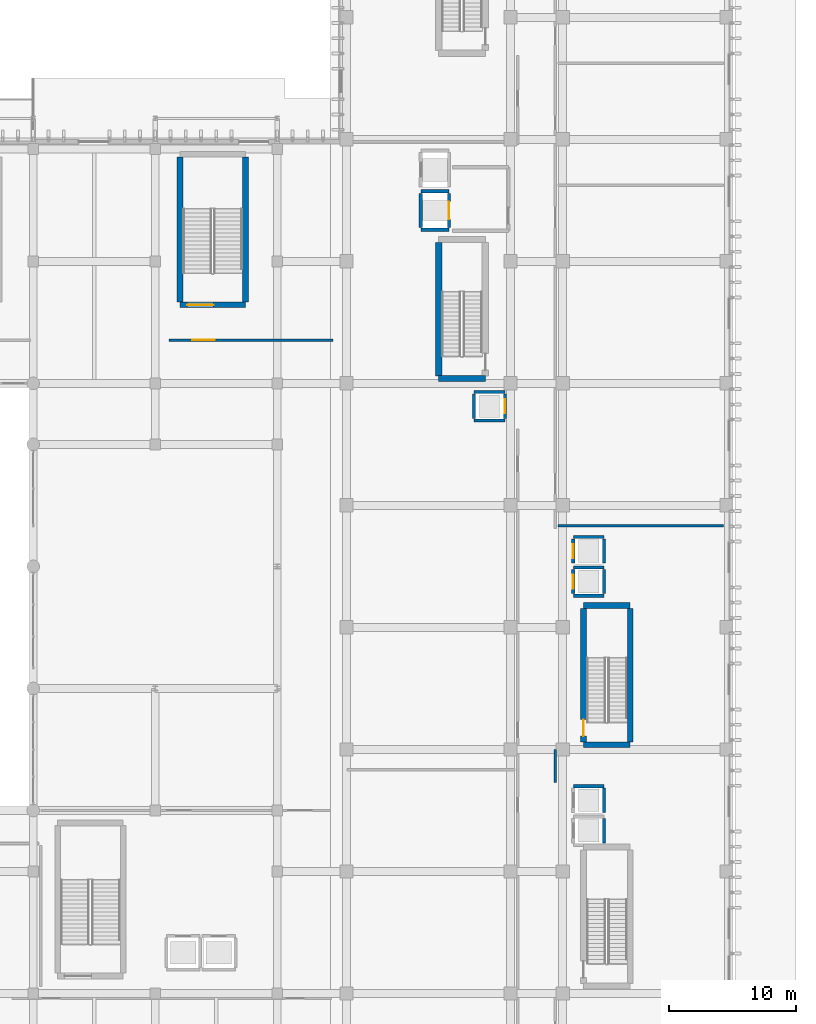
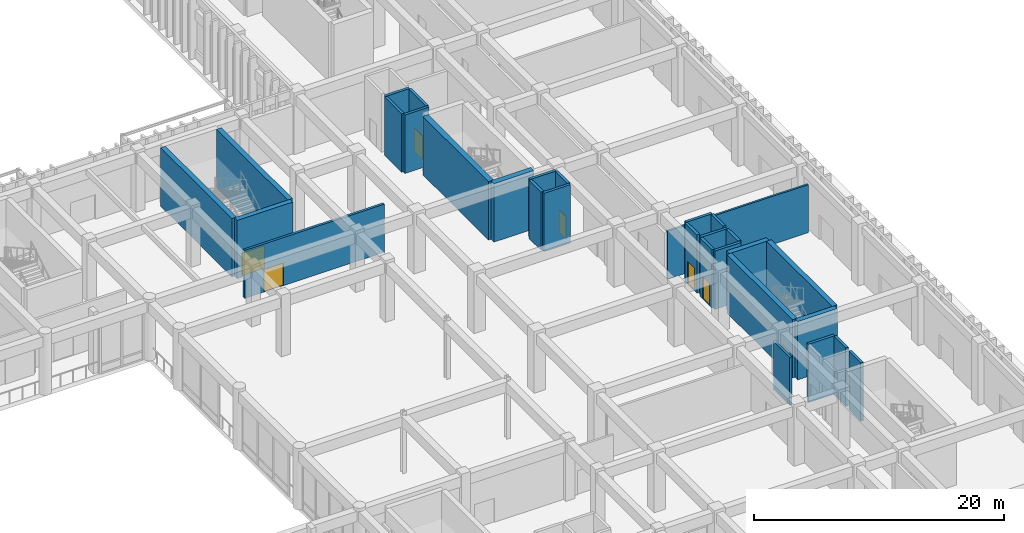
# One storey, part 47 of 87: 30 walls, 7 doors, 7 openings.
"""IFC4 building model written with IfcOpenShell, lengths in metres."""

from ifc_helpers import new_model, si_unit, direction, frame, frame_2d, origin, place, context, subcontext, project, spatial, rectangle, extrude, material, layer, layer_set, type_object, element, fill, save


model = new_model("IFC4")

# Units and contexts
model_context = context("Model", 3, precision=1e-05, world=origin(), true_north=direction((0.0, 1.0)))
body_context = subcontext(model_context, "Body", "Model", "MODEL_VIEW")
ifc_project = project(units=[si_unit("LENGTHUNIT", "METRE"), si_unit("AREAUNIT", "SQUARE_METRE"), si_unit("VOLUMEUNIT", "CUBIC_METRE"), si_unit("PLANEANGLEUNIT", "RADIAN"), si_unit("MASSUNIT", "GRAM", prefix="KILO")], contexts=[model_context])

# Site, building, storey
site_placement = place(None, origin())
site = spatial("IfcSite", under=ifc_project, at=site_placement, CompositionType="ELEMENT")
building_placement = place(site_placement, origin())
building = spatial("IfcBuilding", under=site, at=building_placement, Name="Nakhvara Creek Congress Hotel", CompositionType="ELEMENT")
storey_placement = place(building_placement, origin())
storey = spatial("IfcBuildingStorey", under=building, at=storey_placement, Name="L00", CompositionType="ELEMENT", Elevation=0.0)

# Walls
ifc_material_1 = material(Name="Concrete C50/60", Category="concrete")
ifc_layer_1 = layer(ifc_material_1, 0.449951171875)
ifc_layer_set_1 = layer_set([ifc_layer_1], Name="Concrete C50/60")
wall_type_1 = type_object("IfcWallType", Name="W-CORE-450", PredefinedType="SHEAR", material=ifc_layer_set_1)
for number, where, z_axis, x_axis, name in (
    (1, (168.10009765625, 48.3798828125, 0.0), (0.0, 0.0, 1.0), (1.0, 0.0, 0.0), "Core Shear Wall WS02-CWALL-L00-0643"),
    (2, (168.10009765625, 59.320068359375, 0.0), (0.0, 0.0, 1.0), (1.0, 0.0, 0.0), "Core Shear Wall WS02-CWALL-L00-0644"),
):
    element("IfcWall", number, at=place(storey_placement, frame(where, z_axis=z_axis, x_axis=x_axis)), inside=storey, type_object=wall_type_1, Name=name, PredefinedType="SHEAR", context=body_context, shape_type="SweptSolid", body=[
        extrude(rectangle(XDim=3.669921875, YDim=0.449951171875, at=frame_2d((1.8349609375, 0.0))), origin(), (0.0, 0.0, 1.0), 5.699951171875),
    ])

# Wall, opening, door
wall_1_placement = place(storey_placement, frame((168.10009765625, 48.60009765625, 0.0), z_axis=(0.0, 0.0, 1.0), x_axis=(0.0, 1.0, 0.0)))
wall_1 = element("IfcWall", 3, at=wall_1_placement, inside=storey, type_object=wall_type_1, Name="Core Shear Wall WS02-CWALL-L00-0645", PredefinedType="SHEAR", context=body_context, shape_type="SweptSolid", body=[
    extrude(rectangle(XDim=10.5, YDim=0.449951171875, at=frame_2d((5.25, 0.0))), origin(), (0.0, 0.0, 1.0), 5.699951171875),
])
opening_1_placement = place(wall_1_placement, frame((0.449951171875, 0.0, 0.0)))
opening_1 = element("IfcOpeningElement", 4, at=opening_1_placement, cuts=wall_1, Name="Opening FD04", PredefinedType="OPENING", context=body_context, shape_type="SweptSolid", body=[
    extrude(rectangle(XDim=1.300048828125, YDim=2.14990234375, at=frame_2d((0.64990234375, 1.074951171875))), frame((0.0, 0.23681640625, 0.0), z_axis=(0.0, -1.0, 0.0), x_axis=(1.0, 0.0, 0.0)), (0.0, 0.0, 1.0), 0.473876953125),
])
ifc_material_2 = material(Name="Powder-coated steel fire door", Category="steel")
door_type_1 = type_object("IfcDoorType", Name="DT-STAIR-130", OperationType="NOTDEFINED", PredefinedType="DOOR", material=ifc_material_2)
door_1_placement = place(opening_1_placement, origin())
door_1 = element("IfcDoor", 5, at=door_1_placement, inside=storey, type_object=door_type_1, Name="Stair Exit Door ST04-L00", OperationType="SINGLE_SWING_LEFT", OverallHeight=2.14990234375, OverallWidth=1.300048828125, PredefinedType="DOOR", context=body_context, shape_type="SweptSolid", body=[
    extrude(rectangle(XDim=1.300048828125, YDim=2.14990234375, at=frame_2d((0.64990234375, 1.074951171875))), frame((0.0, 0.02490234375, 0.0), z_axis=(0.0, -1.0, 0.0), x_axis=(1.0, 0.0, 0.0)), (0.0, 0.0, 1.0), 0.050048828125),
])
fill(opening_1, door_1)

# Wall
wall_2_placement = place(storey_placement, frame((171.77001953125, 48.60009765625, 0.0), z_axis=(0.0, 0.0, 1.0), x_axis=(0.0, 1.0, 0.0)))
element("IfcWall", 6, at=wall_2_placement, inside=storey, type_object=wall_type_1, Name="Core Shear Wall WS02-CWALL-L00-0646", PredefinedType="SHEAR", context=body_context, shape_type="SweptSolid", body=[
    extrude(rectangle(XDim=10.5, YDim=0.449951171875, at=frame_2d((5.25, 0.0))), origin(), (0.0, 0.0, 1.0), 5.699951171875),
])

# Wall, opening, door
wall_3_placement = place(storey_placement, frame((136.35009765625, 82.97998046875, 0.0), z_axis=(0.0, 0.0, 1.0), x_axis=(1.0, 0.0, 0.0)))
wall_3 = element("IfcWall", 7, at=wall_3_placement, inside=storey, type_object=wall_type_1, Name="Core Shear Wall WS02-CWALL-L00-0919", PredefinedType="SHEAR", context=body_context, shape_type="SweptSolid", body=[
    extrude(rectangle(XDim=5.14990234375, YDim=0.449951171875, at=frame_2d((2.574951171875, 0.0))), origin(), (0.0, 0.0, 1.0), 5.699951171875),
])
opening_2_placement = place(wall_3_placement, frame((0.550048828125, 0.0, 0.0)))
opening_2 = element("IfcOpeningElement", 8, at=opening_2_placement, cuts=wall_3, Name="Opening FD19", PredefinedType="OPENING", context=body_context, shape_type="SweptSolid", body=[
    extrude(rectangle(XDim=2.10009765625, YDim=2.199951171875, at=frame_2d((1.050048828125, 1.10009765625))), frame((0.0, 0.23681640625, 0.0), z_axis=(0.0, -1.0, 0.0), x_axis=(1.0, 0.0, 0.0)), (0.0, 0.0, 1.0), 0.473876953125),
])
ifc_material_3 = material(Name="Galvanised steel acoustic fire door", Category="steel")
door_type_2 = type_object("IfcDoorType", Name="DT-STAIR-220", OperationType="DOUBLE_DOOR_SINGLE_SWING", PredefinedType="DOOR", material=ifc_material_3)
door_2_placement = place(opening_2_placement, frame((2.10009765625, 0.0, 0.0), z_axis=(0.0, 0.0, 1.0), x_axis=(-1.0, 0.0, 0.0)))
door_2 = element("IfcDoor", 9, at=door_2_placement, inside=storey, type_object=door_type_2, Name="Stair Exit Door ST10-L00", OperationType="DOUBLE_DOOR_SINGLE_SWING", OverallHeight=2.199951171875, OverallWidth=2.10009765625, PredefinedType="DOOR", context=body_context, shape_type="SweptSolid", body=[
    extrude(rectangle(XDim=2.10009765625, YDim=2.199951171875, at=frame_2d((1.050048828125, 1.10009765625))), frame((0.0, 0.02490234375, 0.0), z_axis=(0.0, -1.0, 0.0), x_axis=(1.0, 0.0, 0.0)), (0.0, 0.0, 1.0), 0.050048828125),
])
fill(opening_2, door_2)

# Walls
for number, where, z_axis, x_axis, name in (
    (10, (136.35009765625, 83.199951171875, 0.0), (0.0, 0.0, 1.0), (0.0, 1.0, 0.0), "Core Shear Wall WS02-CWALL-L00-0921"),
    (11, (141.5, 83.199951171875, 0.0), (0.0, 0.0, 1.0), (0.0, 1.0, 0.0), "Core Shear Wall WS02-CWALL-L00-0922"),
):
    element("IfcWall", number, at=place(storey_placement, frame(where, z_axis=z_axis, x_axis=x_axis)), inside=storey, type_object=wall_type_1, Name=name, PredefinedType="SHEAR", context=body_context, shape_type="SweptSolid", body=[
        extrude(rectangle(XDim=11.400146484375, YDim=0.449951171875, at=frame_2d((5.7001953125, 0.0))), origin(), (0.0, 0.0, 1.0), 5.699951171875),
    ])
ifc_layer_2 = layer(ifc_material_1, 0.5)
ifc_layer_set_2 = layer_set([ifc_layer_2], Name="Concrete C50/60")
wall_type_2 = type_object("IfcWallType", Name="W-CORE-500", PredefinedType="SHEAR", material=ifc_layer_set_2)
wall_4_placement = place(storey_placement, frame((156.699951171875, 77.179931640625, 0.0), z_axis=(0.0, 0.0, 1.0), x_axis=(1.0, 0.0, 0.0)))
element("IfcWall", 12, at=wall_4_placement, inside=storey, type_object=wall_type_2, Name="Core Shear Wall WS01-CWALL-L00-0037", PredefinedType="SHEAR", context=body_context, shape_type="SweptSolid", body=[
    extrude(rectangle(XDim=3.670166015625, YDim=0.5, at=frame_2d((1.8349609375, 0.0))), origin(), (0.0, 0.0, 1.0), 5.699951171875),
])
wall_5_placement = place(storey_placement, frame((156.699951171875, 77.39990234375, 0.0), z_axis=(0.0, 0.0, 1.0), x_axis=(0.0, 1.0, 0.0)))
element("IfcWall", 13, at=wall_5_placement, inside=storey, type_object=wall_type_2, Name="Core Shear Wall WS01-CWALL-L00-0039", PredefinedType="SHEAR", context=body_context, shape_type="SweptSolid", body=[
    extrude(rectangle(XDim=10.5, YDim=0.5, at=frame_2d((5.25, 0.0))), origin(), (0.0, 0.0, 1.0), 5.699951171875),
])
ifc_material_4 = material(Name="Gypsum acoustic board on steel stud", Category="steel")
ifc_layer_3 = layer(ifc_material_4, 0.219970703125)
ifc_layer_set_3 = layer_set([ifc_layer_3], Name="Gypsum acoustic board on steel stud")
wall_type_3 = type_object("IfcWallType", Name="W-CORR-220", PredefinedType="PARTITIONING", material=ifc_layer_set_3)
wall_6_placement = place(storey_placement, frame((165.8798828125, 45.39990234375, 0.0), z_axis=(0.0, 0.0, 1.0), x_axis=(0.0, 1.0, 0.0)))
element("IfcWall", 14, at=wall_6_placement, inside=storey, type_object=wall_type_3, Name="Interior Wall WP11-IW-L00-0054", PredefinedType="PARTITIONING", context=body_context, shape_type="SweptSolid", body=[
    extrude(rectangle(XDim=2.60009765625, YDim=0.219970703125, at=frame_2d((1.300048828125, 0.0))), origin(), (0.0, 0.0, 1.0), 4.69189453125),
])

# Wall, opening, door
wall_7_placement = place(storey_placement, frame((135.5, 80.199951171875, 0.0), z_axis=(0.0, 0.0, 1.0), x_axis=(1.0, 0.0, 0.0)))
wall_7 = element("IfcWall", 15, at=wall_7_placement, inside=storey, type_object=wall_type_3, Name="Interior Wall WP11-IW-L00-0828", PredefinedType="PARTITIONING", context=body_context, shape_type="SweptSolid", body=[
    extrude(rectangle(XDim=12.89990234375, YDim=0.219970703125, at=frame_2d((6.449951171875, 0.0))), origin(), (0.0, 0.0, 1.0), 4.69189453125),
])
opening_3_placement = place(wall_7_placement, frame((1.800048828125, 0.0, 0.0)))
opening_3 = element("IfcOpeningElement", 16, at=opening_3_placement, cuts=wall_7, Name="Opening FD02", PredefinedType="OPENING", context=body_context, shape_type="SweptSolid", body=[
    extrude(rectangle(XDim=1.800048828125, YDim=2.199951171875, at=frame_2d((0.89990234375, 1.10009765625))), frame((0.0, 0.1220703125, 0.0), z_axis=(0.0, -1.0, 0.0), x_axis=(1.0, 0.0, 0.0)), (0.0, 0.0, 1.0), 0.243896484375),
])
door_type_3 = type_object("IfcDoorType", Name="DT-STAIR-180", OperationType="DOUBLE_DOOR_SINGLE_SWING", PredefinedType="DOOR", material=ifc_material_2)
door_3_placement = place(opening_3_placement, origin())
door_3 = element("IfcDoor", 17, at=door_3_placement, inside=storey, type_object=door_type_3, Name="Interior Door FD02-0587", OperationType="DOUBLE_DOOR_SINGLE_SWING", OverallHeight=2.199951171875, OverallWidth=1.800048828125, PredefinedType="DOOR", context=body_context, shape_type="SweptSolid", body=[
    extrude(rectangle(XDim=1.800048828125, YDim=2.199951171875, at=frame_2d((0.89990234375, 1.10009765625))), frame((0.0, 0.02490234375, 0.0), z_axis=(0.0, -1.0, 0.0), x_axis=(1.0, 0.0, 0.0)), (0.0, 0.0, 1.0), 0.050048828125),
])
fill(opening_3, door_3)

# Walls
ifc_layer_4 = layer(ifc_material_4, 0.179931640625)
ifc_layer_set_4 = layer_set([ifc_layer_4], Name="Gypsum acoustic board on steel stud")
wall_type_4 = type_object("IfcWallType", Name="W-MEET-180", PredefinedType="PARTITIONING", material=ifc_layer_set_4)
wall_8_placement = place(storey_placement, frame((166.10009765625, 65.60009765625, 0.0), z_axis=(0.0, 0.0, 1.0), x_axis=(1.0, 0.0, 0.0)))
element("IfcWall", 18, at=wall_8_placement, inside=storey, type_object=wall_type_4, Name="Interior Wall WP13-IW-L00-0074", PredefinedType="PARTITIONING", context=body_context, shape_type="SweptSolid", body=[
    extrude(rectangle(XDim=13.0, YDim=0.179931640625, at=frame_2d((6.5, 0.0))), origin(), (0.0, 0.0, 1.0), 4.69189453125),
])
ifc_material_5 = material(Name="Concrete C40/50", Category="concrete")
ifc_layer_5 = layer(ifc_material_5, 0.25)
ifc_layer_set_5 = layer_set([ifc_layer_5], Name="Concrete C40/50")
wall_type_5 = type_object("IfcWallType", Name="W-SHAFT-250", PredefinedType="SOLIDWALL", material=ifc_layer_set_5)
for number, where, z_axis, x_axis, name in (
    (19, (155.2900390625, 88.889892578125, 0.0), (0.0, 0.0, 1.0), (1.0, 0.0, 0.0), "Core Shear Wall WI02-CWALL-L00-0041"),
    (20, (155.2900390625, 91.909912109375, 0.0), (0.0, 0.0, 1.0), (1.0, 0.0, 0.0), "Core Shear Wall WI02-CWALL-L00-0042"),
):
    element("IfcWall", number, at=place(storey_placement, frame(where, z_axis=z_axis, x_axis=x_axis)), inside=storey, type_object=wall_type_5, Name=name, PredefinedType="SOLIDWALL", context=body_context, shape_type="SweptSolid", body=[
        extrude(rectangle(XDim=2.219970703125, YDim=0.25, at=frame_2d((1.10986328125, 0.0))), origin(), (0.0, 0.0, 1.0), 5.699951171875),
    ])
wall_9_placement = place(storey_placement, frame((155.2900390625, 89.050048828125, 0.0), z_axis=(0.0, 0.0, 1.0), x_axis=(0.0, 1.0, 0.0)))
element("IfcWall", 21, at=wall_9_placement, inside=storey, type_object=wall_type_5, Name="Core Shear Wall WI02-CWALL-L00-0043", PredefinedType="SOLIDWALL", context=body_context, shape_type="SweptSolid", body=[
    extrude(rectangle(XDim=2.699951171875, YDim=0.25, at=frame_2d((1.35009765625, 0.0))), origin(), (0.0, 0.0, 1.0), 5.699951171875),
])

# Wall, opening, door
wall_10_placement = place(storey_placement, frame((157.510009765625, 89.050048828125, 0.0), z_axis=(0.0, 0.0, 1.0), x_axis=(0.0, 1.0, 0.0)))
wall_10 = element("IfcWall", 22, at=wall_10_placement, inside=storey, type_object=wall_type_5, Name="Core Shear Wall WI02-CWALL-L00-0044", PredefinedType="SOLIDWALL", context=body_context, shape_type="SweptSolid", body=[
    extrude(rectangle(XDim=2.699951171875, YDim=0.25, at=frame_2d((1.35009765625, 0.0))), origin(), (0.0, 0.0, 1.0), 5.699951171875),
])
opening_4_placement = place(wall_10_placement, frame((0.64990234375, 0.0, 0.0)))
opening_4 = element("IfcOpeningElement", 23, at=opening_4_placement, cuts=wall_10, Name="Opening LD02", PredefinedType="OPENING", context=body_context, shape_type="SweptSolid", body=[
    extrude(rectangle(XDim=1.39990234375, YDim=2.300048828125, at=frame_2d((0.699951171875, 1.14990234375))), frame((0.0, 0.136962890625, 0.0), z_axis=(0.0, -1.0, 0.0), x_axis=(1.0, 0.0, 0.0)), (0.0, 0.0, 1.0), 0.27392578125),
])
ifc_material_6 = material(Name="Brushed stainless steel heavy goods landing door", Category="steel")
door_type_4 = type_object("IfcDoorType", Name="DT-LIFT-140", OperationType="DOUBLE_DOOR_SLIDING", PredefinedType="DOOR", material=ifc_material_6)
door_4_placement = place(opening_4_placement, origin())
door_4 = element("IfcDoor", 24, at=door_4_placement, inside=storey, type_object=door_type_4, Name="Landing Door FFL1-L00", OperationType="SLIDING_TO_LEFT", OverallHeight=2.300048828125, OverallWidth=1.39990234375, PredefinedType="DOOR", context=body_context, shape_type="SweptSolid", body=[
    extrude(rectangle(XDim=1.39990234375, YDim=2.300048828125, at=frame_2d((0.699951171875, 1.14990234375))), frame((0.0, 0.02490234375, 0.0), z_axis=(0.0, -1.0, 0.0), x_axis=(1.0, 0.0, 0.0)), (0.0, 0.0, 1.0), 0.050048828125),
])
fill(opening_4, door_4)

# Walls
for number, where, z_axis, x_axis, name in (
    (25, (159.489990234375, 73.889892578125, 0.0), (0.0, 0.0, 1.0), (1.0, 0.0, 0.0), "Core Shear Wall WI02-CWALL-L00-0048"),
    (26, (159.489990234375, 76.110107421875, 0.0), (0.0, 0.0, 1.0), (1.0, 0.0, 0.0), "Core Shear Wall WI02-CWALL-L00-0049"),
):
    element("IfcWall", number, at=place(storey_placement, frame(where, z_axis=z_axis, x_axis=x_axis)), inside=storey, type_object=wall_type_5, Name=name, PredefinedType="SOLIDWALL", context=body_context, shape_type="SweptSolid", body=[
        extrude(rectangle(XDim=2.419921875, YDim=0.25, at=frame_2d((1.2099609375, 0.0))), origin(), (0.0, 0.0, 1.0), 5.699951171875),
    ])
wall_11_placement = place(storey_placement, frame((159.489990234375, 74.050048828125, 0.0), z_axis=(0.0, 0.0, 1.0), x_axis=(0.0, 1.0, 0.0)))
element("IfcWall", 27, at=wall_11_placement, inside=storey, type_object=wall_type_5, Name="Core Shear Wall WI02-CWALL-L00-0050", PredefinedType="SOLIDWALL", context=body_context, shape_type="SweptSolid", body=[
    extrude(rectangle(XDim=1.89990234375, YDim=0.25, at=frame_2d((0.949951171875, 0.0))), origin(), (0.0, 0.0, 1.0), 5.699951171875),
])

# Wall, opening, door
wall_12_placement = place(storey_placement, frame((161.909912109375, 74.050048828125, 0.0), z_axis=(0.0, 0.0, 1.0), x_axis=(0.0, 1.0, 0.0)))
wall_12 = element("IfcWall", 28, at=wall_12_placement, inside=storey, type_object=wall_type_5, Name="Core Shear Wall WI02-CWALL-L00-0051", PredefinedType="SOLIDWALL", context=body_context, shape_type="SweptSolid", body=[
    extrude(rectangle(XDim=1.89990234375, YDim=0.25, at=frame_2d((0.949951171875, 0.0))), origin(), (0.0, 0.0, 1.0), 5.699951171875),
])
opening_5_placement = place(wall_12_placement, frame((0.39990234375, 0.0, 0.0)))
opening_5 = element("IfcOpeningElement", 29, at=opening_5_placement, cuts=wall_12, Name="Opening LD01", PredefinedType="OPENING", context=body_context, shape_type="SweptSolid", body=[
    extrude(rectangle(XDim=1.10009765625, YDim=2.199951171875, at=frame_2d((0.550048828125, 1.10009765625))), frame((0.0, 0.136962890625, 0.0), z_axis=(0.0, -1.0, 0.0), x_axis=(1.0, 0.0, 0.0)), (0.0, 0.0, 1.0), 0.27392578125),
])
ifc_material_7 = material(Name="Brushed stainless steel sliding landing door", Category="steel")
door_type_5 = type_object("IfcDoorType", Name="DT-LIFT-110", OperationType="DOUBLE_DOOR_SLIDING", PredefinedType="DOOR", material=ifc_material_7)
door_5_placement = place(opening_5_placement, origin())
door_5 = element("IfcDoor", 30, at=door_5_placement, inside=storey, type_object=door_type_5, Name="Landing Door PL02-L00", OperationType="SLIDING_TO_LEFT", OverallHeight=2.199951171875, OverallWidth=1.10009765625, PredefinedType="DOOR", context=body_context, shape_type="SweptSolid", body=[
    extrude(rectangle(XDim=1.10009765625, YDim=2.199951171875, at=frame_2d((0.550048828125, 1.10009765625))), frame((0.0, 0.02490234375, 0.0), z_axis=(0.0, -1.0, 0.0), x_axis=(1.0, 0.0, 0.0)), (0.0, 0.0, 1.0), 0.050048828125),
])
fill(opening_5, door_5)

# Walls
wall_13_placement = place(storey_placement, frame((169.7099609375, 40.64990234375, 0.0), z_axis=(0.0, 0.0, 1.0), x_axis=(0.0, 1.0, 0.0)))
element("IfcWall", 31, at=wall_13_placement, inside=storey, type_object=wall_type_5, Name="Core Shear Wall WI02-CWALL-L00-0563", PredefinedType="SOLIDWALL", context=body_context, shape_type="SweptSolid", body=[
    extrude(rectangle(XDim=1.900146484375, YDim=0.25, at=frame_2d((0.9501953125, 0.0))), origin(), (0.0, 0.0, 1.0), 5.699951171875),
])
wall_14_placement = place(storey_placement, frame((167.2900390625, 45.110107421875, 0.0), z_axis=(0.0, 0.0, 1.0), x_axis=(1.0, 0.0, 0.0)))
element("IfcWall", 32, at=wall_14_placement, inside=storey, type_object=wall_type_5, Name="Core Shear Wall WI02-CWALL-L00-0564", PredefinedType="SOLIDWALL", context=body_context, shape_type="SweptSolid", body=[
    extrude(rectangle(XDim=2.419921875, YDim=0.25, at=frame_2d((1.2099609375, 0.0))), origin(), (0.0, 0.0, 1.0), 5.699951171875),
])
wall_15_placement = place(storey_placement, frame((169.7099609375, 43.050048828125, 0.0), z_axis=(0.0, 0.0, 1.0), x_axis=(0.0, 1.0, 0.0)))
element("IfcWall", 33, at=wall_15_placement, inside=storey, type_object=wall_type_5, Name="Core Shear Wall WI02-CWALL-L00-0566", PredefinedType="SOLIDWALL", context=body_context, shape_type="SweptSolid", body=[
    extrude(rectangle(XDim=1.89990234375, YDim=0.25, at=frame_2d((0.949951171875, 0.0))), origin(), (0.0, 0.0, 1.0), 5.699951171875),
])
for number, where, z_axis, x_axis, name in (
    (34, (167.2900390625, 60.090087890625, 0.0), (0.0, 0.0, 1.0), (1.0, 0.0, 0.0), "Core Shear Wall WI02-CWALL-L00-0647"),
    (35, (167.2900390625, 62.31005859375, 0.0), (0.0, 0.0, 1.0), (1.0, 0.0, 0.0), "Core Shear Wall WI02-CWALL-L00-0648"),
):
    element("IfcWall", number, at=place(storey_placement, frame(where, z_axis=z_axis, x_axis=x_axis)), inside=storey, type_object=wall_type_5, Name=name, PredefinedType="SOLIDWALL", context=body_context, shape_type="SweptSolid", body=[
        extrude(rectangle(XDim=2.419921875, YDim=0.25, at=frame_2d((1.2099609375, 0.0))), origin(), (0.0, 0.0, 1.0), 5.699951171875),
    ])

# Wall, opening, door
wall_16_placement = place(storey_placement, frame((167.2900390625, 60.25, 0.0), z_axis=(0.0, 0.0, 1.0), x_axis=(0.0, 1.0, 0.0)))
wall_16 = element("IfcWall", 36, at=wall_16_placement, inside=storey, type_object=wall_type_5, Name="Core Shear Wall WI02-CWALL-L00-0649", PredefinedType="SOLIDWALL", context=body_context, shape_type="SweptSolid", body=[
    extrude(rectangle(XDim=1.89990234375, YDim=0.25, at=frame_2d((0.949951171875, 0.0))), origin(), (0.0, 0.0, 1.0), 5.699951171875),
])
opening_6_placement = place(wall_16_placement, frame((0.39990234375, 0.0, 0.0)))
opening_6 = element("IfcOpeningElement", 37, at=opening_6_placement, cuts=wall_16, Name="Opening LD01", PredefinedType="OPENING", context=body_context, shape_type="SweptSolid", body=[
    extrude(rectangle(XDim=1.10009765625, YDim=2.199951171875, at=frame_2d((0.550048828125, 1.10009765625))), frame((0.0, 0.136962890625, 0.0), z_axis=(0.0, -1.0, 0.0), x_axis=(1.0, 0.0, 0.0)), (0.0, 0.0, 1.0), 0.27392578125),
])
door_6_placement = place(opening_6_placement, origin())
door_6 = element("IfcDoor", 38, at=door_6_placement, inside=storey, type_object=door_type_5, Name="Landing Door PL05-L00", OperationType="SLIDING_TO_LEFT", OverallHeight=2.199951171875, OverallWidth=1.10009765625, PredefinedType="DOOR", context=body_context, shape_type="SweptSolid", body=[
    extrude(rectangle(XDim=1.10009765625, YDim=2.199951171875, at=frame_2d((0.550048828125, 1.10009765625))), frame((0.0, 0.02490234375, 0.0), z_axis=(0.0, -1.0, 0.0), x_axis=(1.0, 0.0, 0.0)), (0.0, 0.0, 1.0), 0.050048828125),
])
fill(opening_6, door_6)

# Walls
wall_17_placement = place(storey_placement, frame((169.7099609375, 60.25, 0.0), z_axis=(0.0, 0.0, 1.0), x_axis=(0.0, 1.0, 0.0)))
element("IfcWall", 39, at=wall_17_placement, inside=storey, type_object=wall_type_5, Name="Core Shear Wall WI02-CWALL-L00-0650", PredefinedType="SOLIDWALL", context=body_context, shape_type="SweptSolid", body=[
    extrude(rectangle(XDim=1.89990234375, YDim=0.25, at=frame_2d((0.949951171875, 0.0))), origin(), (0.0, 0.0, 1.0), 5.699951171875),
])
wall_18_placement = place(storey_placement, frame((167.2900390625, 64.7099609375, 0.0), z_axis=(0.0, 0.0, 1.0), x_axis=(1.0, 0.0, 0.0)))
element("IfcWall", 40, at=wall_18_placement, inside=storey, type_object=wall_type_5, Name="Core Shear Wall WI02-CWALL-L00-0651", PredefinedType="SOLIDWALL", context=body_context, shape_type="SweptSolid", body=[
    extrude(rectangle(XDim=2.419921875, YDim=0.25, at=frame_2d((1.2099609375, 0.0))), origin(), (0.0, 0.0, 1.0), 5.699951171875),
])

# Wall, opening, door
wall_19_placement = place(storey_placement, frame((167.2900390625, 62.64990234375, 0.0), z_axis=(0.0, 0.0, 1.0), x_axis=(0.0, 1.0, 0.0)))
wall_19 = element("IfcWall", 41, at=wall_19_placement, inside=storey, type_object=wall_type_5, Name="Core Shear Wall WI02-CWALL-L00-0652", PredefinedType="SOLIDWALL", context=body_context, shape_type="SweptSolid", body=[
    extrude(rectangle(XDim=1.900146484375, YDim=0.25, at=frame_2d((0.9501953125, 0.0))), origin(), (0.0, 0.0, 1.0), 5.699951171875),
])
opening_7_placement = place(wall_19_placement, frame((0.39990234375, 0.0, 0.0)))
opening_7 = element("IfcOpeningElement", 42, at=opening_7_placement, cuts=wall_19, Name="Opening LD01", PredefinedType="OPENING", context=body_context, shape_type="SweptSolid", body=[
    extrude(rectangle(XDim=1.10009765625, YDim=2.199951171875, at=frame_2d((0.550048828125, 1.10009765625))), frame((0.0, 0.136962890625, 0.0), z_axis=(0.0, -1.0, 0.0), x_axis=(1.0, 0.0, 0.0)), (0.0, 0.0, 1.0), 0.27392578125),
])
door_7_placement = place(opening_7_placement, origin())
door_7 = element("IfcDoor", 43, at=door_7_placement, inside=storey, type_object=door_type_5, Name="Landing Door PL06-L00", OperationType="SLIDING_TO_LEFT", OverallHeight=2.199951171875, OverallWidth=1.10009765625, PredefinedType="DOOR", context=body_context, shape_type="SweptSolid", body=[
    extrude(rectangle(XDim=1.10009765625, YDim=2.199951171875, at=frame_2d((0.550048828125, 1.10009765625))), frame((0.0, 0.02490234375, 0.0), z_axis=(0.0, -1.0, 0.0), x_axis=(1.0, 0.0, 0.0)), (0.0, 0.0, 1.0), 0.050048828125),
])
fill(opening_7, door_7)

# Wall
wall_20_placement = place(storey_placement, frame((169.7099609375, 62.64990234375, 0.0), z_axis=(0.0, 0.0, 1.0), x_axis=(0.0, 1.0, 0.0)))
element("IfcWall", 44, at=wall_20_placement, inside=storey, type_object=wall_type_5, Name="Core Shear Wall WI02-CWALL-L00-0653", PredefinedType="SOLIDWALL", context=body_context, shape_type="SweptSolid", body=[
    extrude(rectangle(XDim=1.900146484375, YDim=0.25, at=frame_2d((0.9501953125, 0.0))), origin(), (0.0, 0.0, 1.0), 5.699951171875),
])

save(model, "model.ifc")
